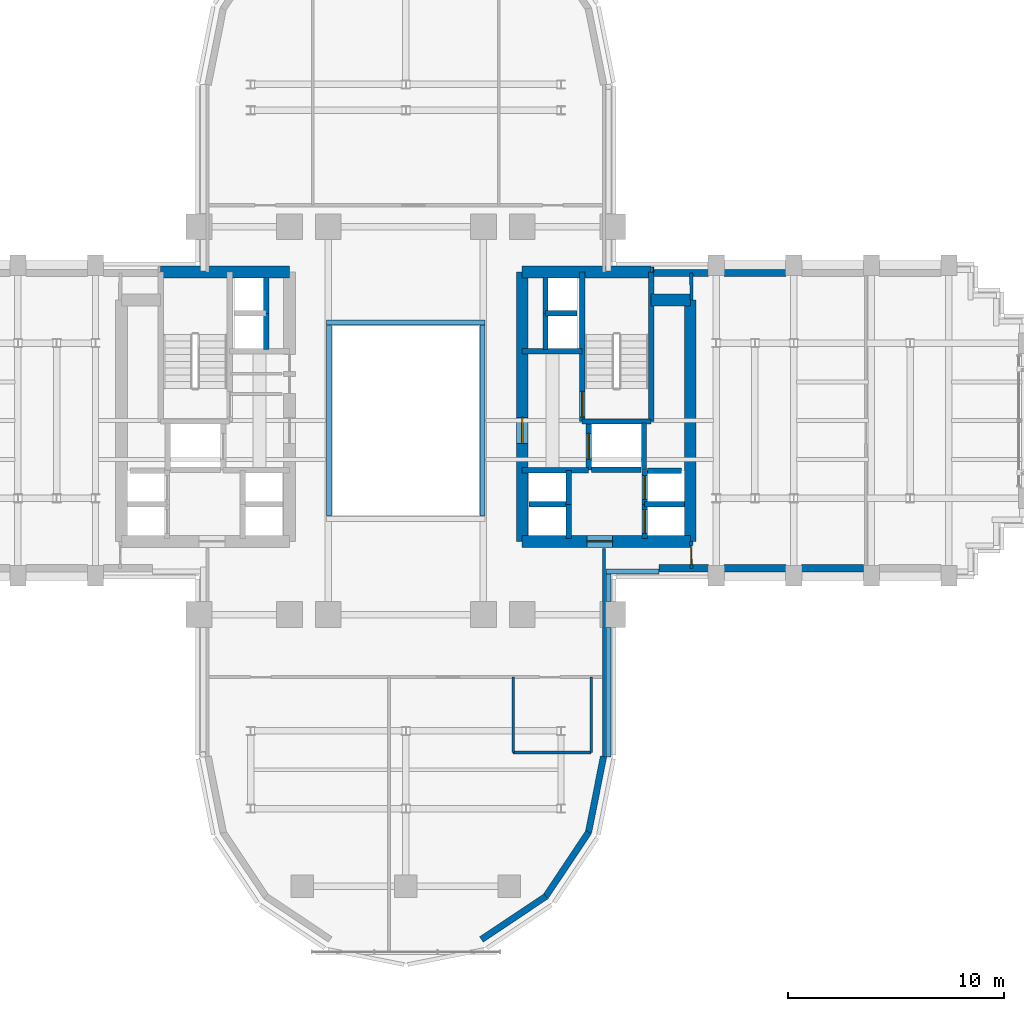
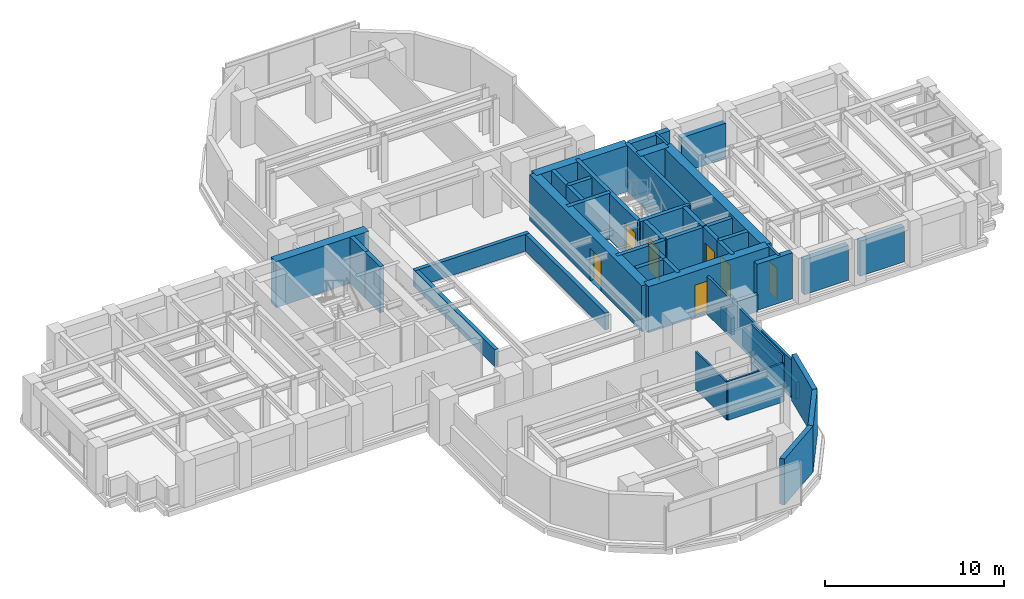
# One storey, part 11 of 16: 47 walls, 7 doors, 7 openings.
"""IFC4 building model written with IfcOpenShell, lengths in metres."""

from ifc_helpers import new_model, si_unit, direction, frame, frame_2d, origin, place, context, subcontext, project, spatial, rectangle, extrude, source, transform, mapped, material, layer, layer_set, type_object, element, fill, save


model = new_model("IFC4")

# Units and contexts
model_context = context("Model", 3, precision=1e-05, world=origin(), true_north=direction((0.0, 1.0)))
body_context = subcontext(model_context, "Body", "Model", "MODEL_VIEW")
ifc_project = project(units=[si_unit("LENGTHUNIT", "METRE"), si_unit("AREAUNIT", "SQUARE_METRE"), si_unit("VOLUMEUNIT", "CUBIC_METRE"), si_unit("PLANEANGLEUNIT", "RADIAN"), si_unit("MASSUNIT", "GRAM", prefix="KILO")], contexts=[model_context])

# Site, building, storey
site_placement = place(None, origin())
site = spatial("IfcSite", under=ifc_project, at=site_placement, CompositionType="ELEMENT")
building_placement = place(site_placement, origin())
building = spatial("IfcBuilding", under=site, at=building_placement, Name="Keilestroom Media Tower", CompositionType="ELEMENT")
storey_placement = place(building_placement, frame((0.0, 0.0, 85.0)))
storey = spatial("IfcBuildingStorey", under=building, at=storey_placement, Name="L22", CompositionType="ELEMENT", Elevation=85.0)

# Walls
ifc_material_1 = material(Name="Precast concrete C40/50", Category="concrete")
ifc_layer_1 = layer(ifc_material_1, 0.300048828125)
ifc_layer_set_1 = layer_set([ifc_layer_1], Name="Precast concrete C40/50")
wall_type_1 = type_object("IfcWallType", Name="Exterior-Masonry-Spandrel-Wall-300", PredefinedType="SOLIDWALL", material=ifc_layer_set_1)
wall_1_placement = place(storey_placement, frame((3.510009765625, -24.073486328125, 0.0), z_axis=(0.0, 0.0, 1.0), x_axis=(0.8314749531, 0.555562239868, 0.0)))
element("IfcWall", 1, at=wall_1_placement, inside=storey, type_object=wall_type_1, Name="L22 Lobe Facet Precast Frame Wall 10", PredefinedType="SOLIDWALL", context=body_context, shape_type="SweptSolid", body=[
    extrude(rectangle(XDim=3.59326171875, YDim=0.300048828125, at=frame_2d((1.796630859375, 0.0))), origin(), (0.0, 0.0, 1.0), 3.139892578125),
])
for number, where, z_axis, x_axis, name in (
    (2, (6.47705078125, -22.097900390625, 0.0), (0.0, 0.0, 1.0), (0.555574187116, 0.831466970246, 0.0), "L22 Lobe Facet Precast Frame Wall 11"),
    (3, (8.470703125, -19.12451171875, 0.0), (0.0, 0.0, 1.0), (0.195114232679, 0.980780523974, 0.0), "L22 Lobe Facet Precast Frame Wall 12"),
):
    element("IfcWall", number, at=place(storey_placement, frame(where, z_axis=z_axis, x_axis=x_axis)), inside=storey, type_object=wall_type_1, Name=name, PredefinedType="SOLIDWALL", context=body_context, shape_type="SweptSolid", body=[
        extrude(rectangle(XDim=3.608642578125, YDim=0.300048828125, at=frame_2d((1.80419921875, 0.0))), origin(), (0.0, 0.0, 1.0), 3.139892578125),
    ])
ifc_layer_2 = layer(ifc_material_1, 0.340087890625)
ifc_layer_set_2 = layer_set([ifc_layer_2], Name="Precast concrete C40/50")
wall_type_2 = type_object("IfcWallType", Name="Exterior-Masonry-Spandrel-Wall-340", PredefinedType="SOLIDWALL", material=ifc_layer_set_2)
wall_2_placement = place(storey_placement, frame((11.498046875, 6.85009765625, 0.0), z_axis=(0.0, 0.0, 1.0), x_axis=(1.0, 0.0, 0.0)))
element("IfcWall", 4, at=wall_2_placement, inside=storey, type_object=wall_type_2, Name="L22 Flank Masonry Wall EWL-L22-NE-1", PredefinedType="SOLIDWALL", context=body_context, shape_type="SweptSolid", body=[
    extrude(rectangle(XDim=2.534912109375, YDim=0.340087890625, at=frame_2d((1.267578125, 0.0))), origin(), (0.0, 0.0, 1.0), 3.139892578125),
])
wall_3_placement = place(storey_placement, frame((14.76708984375, 6.85009765625, 0.0), z_axis=(0.0, 0.0, 1.0), x_axis=(1.0, 0.0, 0.0)))
element("IfcWall", 5, at=wall_3_placement, inside=storey, type_object=wall_type_2, Name="L22 Flank Masonry Wall EWL-L22-NE-2", PredefinedType="SOLIDWALL", context=body_context, shape_type="SweptSolid", body=[
    extrude(rectangle(XDim=2.865966796875, YDim=0.340087890625, at=frame_2d((1.43310546875, 0.0))), origin(), (0.0, 0.0, 1.0), 2.389892578125),
])
wall_4_placement = place(storey_placement, frame((11.75, -6.85009765625, 0.0), z_axis=(0.0, 0.0, 1.0), x_axis=(1.0, 0.0, 0.0)))
element("IfcWall", 6, at=wall_4_placement, inside=storey, type_object=wall_type_2, Name="L22 Flank Masonry Wall EWL-L22-SE-1", PredefinedType="SOLIDWALL", context=body_context, shape_type="SweptSolid", body=[
    extrude(rectangle(XDim=2.282958984375, YDim=0.340087890625, at=frame_2d((1.1416015625, 0.0))), origin(), (0.0, 0.0, 1.0), 3.139892578125),
])
for number, where, z_axis, x_axis, name in (
    (7, (14.76708984375, -6.85009765625, 0.0), (0.0, 0.0, 1.0), (1.0, 0.0, 0.0), "L22 Flank Masonry Wall EWL-L22-SE-2"),
    (8, (18.366943359375, -6.85009765625, 0.0), (0.0, 0.0, 1.0), (1.0, 0.0, 0.0), "L22 Flank Masonry Wall EWL-L22-SE-3"),
):
    element("IfcWall", number, at=place(storey_placement, frame(where, z_axis=z_axis, x_axis=x_axis)), inside=storey, type_object=wall_type_2, Name=name, PredefinedType="SOLIDWALL", context=body_context, shape_type="SweptSolid", body=[
        extrude(rectangle(XDim=2.865966796875, YDim=0.340087890625, at=frame_2d((1.43310546875, 0.0))), origin(), (0.0, 0.0, 1.0), 2.389892578125),
    ])
ifc_material_2 = material(Name="Gypsum Plasterboard & Steel Stud", Category="steel")
ifc_layer_3 = layer(ifc_material_2, 0.1201171875)
ifc_layer_set_3 = layer_set([ifc_layer_3], Name="Gypsum Plasterboard & Steel Stud")
wall_type_3 = type_object("IfcWallType", Name="Interior-Partition-Wall-120", PredefinedType="PARTITIONING", material=ifc_layer_set_3)
wall_5_placement = place(storey_placement, frame((4.97998046875, -15.39990234375, 0.0), z_axis=(0.0, 0.0, 1.0), x_axis=(1.0, 0.0, 0.0)))
element("IfcWall", 9, at=wall_5_placement, inside=storey, type_object=wall_type_3, Name="L22 Interior Wall WP-L22-SL-WC1-S", PredefinedType="PARTITIONING", context=body_context, shape_type="SweptSolid", body=[
    extrude(rectangle(XDim=3.6201171875, YDim=0.1201171875, at=frame_2d((1.81005859375, 0.0))), origin(), (0.0, 0.0, 1.0), 2.639892578125),
])
wall_6_placement = place(storey_placement, frame((4.97998046875, -15.39990234375, 0.0), z_axis=(0.0, 0.0, 1.0), x_axis=(0.0, 1.0, 0.0)))
element("IfcWall", 10, at=wall_6_placement, inside=storey, type_object=wall_type_3, Name="L22 Interior Wall WP-L22-SL-WC1-W", PredefinedType="PARTITIONING", context=body_context, shape_type="SweptSolid", body=[
    extrude(rectangle(XDim=3.5, YDim=0.1201171875, at=frame_2d((1.75, 0.0))), origin(), (0.0, 0.0, 1.0), 2.590087890625),
])
wall_7_placement = place(storey_placement, frame((8.60009765625, -15.39990234375, 0.0), z_axis=(0.0, 0.0, 1.0), x_axis=(0.0, 1.0, 0.0)))
element("IfcWall", 11, at=wall_7_placement, inside=storey, type_object=wall_type_3, Name="L22 Interior Wall WP-L22-SL-WC1-E", PredefinedType="PARTITIONING", context=body_context, shape_type="SweptSolid", body=[
    extrude(rectangle(XDim=3.5, YDim=0.1201171875, at=frame_2d((1.75, 0.0))), origin(), (0.0, 0.0, 1.0), 3.139892578125),
])
ifc_layer_4 = layer(ifc_material_2, 0.14990234375)
ifc_layer_set_4 = layer_set([ifc_layer_4], Name="Gypsum Plasterboard & Steel Stud")
wall_type_4 = type_object("IfcWallType", Name="Interior-Partition-Wall-150", PredefinedType="PARTITIONING", material=ifc_layer_set_4)
wall_8_placement = place(storey_placement, frame((9.199951171875, -15.679931640625, 0.0), z_axis=(0.0, 0.0, 1.0), x_axis=(0.0, 1.0, 0.0)))
element("IfcWall", 12, at=wall_8_placement, inside=storey, type_object=wall_type_4, Name="L22 Interior Wall WP-L22-SL-CHKE", PredefinedType="PARTITIONING", context=body_context, shape_type="SweptSolid", body=[
    extrude(rectangle(XDim=9.739990234375, YDim=0.14990234375, at=frame_2d((4.8701171875, 0.0))), origin(), (0.0, 0.0, 1.0), 2.590087890625),
])
wall_9_placement = place(storey_placement, frame((13.260009765625, 5.60009765625, 0.0), z_axis=(0.0, 0.0, 1.0), x_axis=(-0.016013571389, 0.999871774545, 0.0)))
element("IfcWall", 13, at=wall_9_placement, inside=storey, type_object=wall_type_4, Name="L22 Interior Wall WP-L22-EA-ENTN", PredefinedType="PARTITIONING", context=body_context, shape_type="SweptSolid", body=[
    extrude(rectangle(XDim=1.250244140625, YDim=0.14990234375, at=frame_2d((0.625, 0.0))), origin(), (0.0, 0.0, 1.0), 3.139892578125),
])

# Wall, opening, door
wall_10_placement = place(storey_placement, frame((13.260009765625, -6.85009765625, 0.0), z_axis=(0.0, 0.0, 1.0), x_axis=(-0.016013571389, 0.999871774545, 0.0)))
wall_10 = element("IfcWall", 14, at=wall_10_placement, inside=storey, type_object=wall_type_4, Name="L22 Interior Wall WP-L22-EA-ENTS", PredefinedType="PARTITIONING", context=body_context, shape_type="SweptSolid", body=[
    extrude(rectangle(XDim=1.250244140625, YDim=0.14990234375, at=frame_2d((0.625, 0.0))), origin(), (0.0, 0.0, 1.0), 3.139892578125),
])
opening_1_placement = place(wall_10_placement, frame((0.199951171875, 0.0, 0.0)))
opening_1 = element("IfcOpeningElement", 15, at=opening_1_placement, cuts=wall_10, Name="Opening DI-05", PredefinedType="OPENING", context=body_context, shape_type="SweptSolid", body=[
    extrude(rectangle(XDim=0.85009765625, YDim=2.10009765625, at=frame_2d((0.425048828125, 1.050048828125))), frame((0.0, 0.0849609375, 0.0), z_axis=(0.0, -1.0, 0.0), x_axis=(1.0, 0.0, 0.0)), (0.0, 0.0, 1.0), 0.169921875),
])
ifc_material_3 = material(Name="Moisture-Resistant Oak Leaf", Category="wood")
door_type_1 = type_object("IfcDoorType", Name="Interior-En-Suite-And-Cupboard-Door-DI-05", OperationType="NOTDEFINED", PredefinedType="DOOR", material=ifc_material_3)
shared_shape_1 = source(origin(), body_context, "Body", "SweptSolid", [
    extrude(rectangle(XDim=0.85009765625, YDim=2.10009765625, at=frame_2d((0.425048828125, 1.050048828125))), frame((0.0, 0.02490234375, 0.0), z_axis=(0.0, -1.0, 0.0), x_axis=(1.0, 0.0, 0.0)), (0.0, 0.0, 1.0), 0.050048828125),
])
door_1_placement = place(opening_1_placement, origin())
door_1 = element("IfcDoor", 16, at=door_1_placement, inside=storey, type_object=door_type_1, Name="L22 Interior Door DI-L22-DEA-W", OperationType="SINGLE_SWING_RIGHT", OverallHeight=2.10009765625, OverallWidth=0.85009765625, PredefinedType="DOOR", context=body_context, shape_type="MappedRepresentation", body=[
    mapped(shared_shape_1, transform((0.0, 0.0, 0.0), x_axis=(1.0, 0.0, 0.0), y_axis=(0.0, 1.0, 0.0), z_axis=(0.0, 0.0, 1.0), scale=1.0)),
])
fill(opening_1, door_1)

# Walls
ifc_material_4 = material(Name="Concrete C70/85", Category="concrete")
ifc_layer_5 = layer(ifc_material_4, 0.550048828125)
ifc_layer_set_5 = layer_set([ifc_layer_5], Name="Concrete C70/85")
wall_type_5 = type_object("IfcWallType", Name="Reinforced-Concrete-Core-Shear-Wall-550", PredefinedType="SHEAR", material=ifc_layer_set_5)
wall_11_placement = place(storey_placement, frame((-11.381103515625, 6.89990234375, 0.0), z_axis=(0.0, 0.0, 1.0), x_axis=(1.0, 0.0, 0.0)))
element("IfcWall", 17, at=wall_11_placement, inside=storey, type_object=wall_type_5, Name="L22 Core Shear Wall WL-L22-CORE-W-N", PredefinedType="SHEAR", context=body_context, shape_type="SweptSolid", body=[
    extrude(rectangle(XDim=5.981201171875, YDim=0.550048828125, at=frame_2d((2.99072265625, 0.0))), origin(), (0.0, 0.0, 1.0), 3.139892578125),
])
wall_12_placement = place(storey_placement, frame((13.199951171875, -5.60009765625, 0.0), z_axis=(0.0, 0.0, 1.0), x_axis=(0.0, 1.0, 0.0)))
element("IfcWall", 18, at=wall_12_placement, inside=storey, type_object=wall_type_5, Name="L22 Core Shear Wall WL-L22-CORE-E-OUT", PredefinedType="SHEAR", context=body_context, shape_type="SweptSolid", body=[
    extrude(rectangle(XDim=11.2001953125, YDim=0.550048828125, at=frame_2d((5.60009765625, 0.0))), origin(), (0.0, 0.0, 1.0), 3.139892578125),
])

# Wall, opening, door
wall_13_placement = place(storey_placement, frame((5.39990234375, -5.60009765625, 0.0), z_axis=(0.0, 0.0, 1.0), x_axis=(0.0, 1.0, 0.0)))
wall_13 = element("IfcWall", 19, at=wall_13_placement, inside=storey, type_object=wall_type_5, Name="L22 Core Shear Wall WL-L22-CORE-E-IN", PredefinedType="SHEAR", context=body_context, shape_type="SweptSolid", body=[
    extrude(rectangle(XDim=12.5, YDim=0.550048828125, at=frame_2d((6.25, 0.0))), origin(), (0.0, 0.0, 1.0), 3.139892578125),
])
opening_2_placement = place(wall_13_placement, frame((4.550048828125, 0.0, 0.0)))
opening_2 = element("IfcOpeningElement", 20, at=opening_2_placement, cuts=wall_13, Name="Opening DI-02", PredefinedType="OPENING", context=body_context, shape_type="SweptSolid", body=[
    extrude(rectangle(XDim=1.199951171875, YDim=2.199951171875, at=frame_2d((0.60009765625, 1.10009765625))), frame((0.0, 0.28515625, 0.0), z_axis=(0.0, -1.0, 0.0), x_axis=(1.0, 0.0, 0.0)), (0.0, 0.0, 1.0), 0.570068359375),
])
ifc_material_5 = material(Name="Powder-Coated Steel Fire Leaf", Category="steel")
door_type_2 = type_object("IfcDoorType", Name="Interior-Compartment-Fire-Door-DI-02", OperationType="NOTDEFINED", PredefinedType="DOOR", material=ifc_material_5)
shared_shape_2 = source(origin(), body_context, "Body", "SweptSolid", [
    extrude(rectangle(XDim=1.199951171875, YDim=2.199951171875, at=frame_2d((0.60009765625, 1.10009765625))), frame((0.0, 0.02490234375, 0.0), z_axis=(0.0, -1.0, 0.0), x_axis=(1.0, 0.0, 0.0)), (0.0, 0.0, 1.0), 0.050048828125),
])
door_2_placement = place(opening_2_placement, origin())
door_2 = element("IfcDoor", 21, at=door_2_placement, inside=storey, type_object=door_type_2, Name="L22 E Firefighting Lobby Door", OperationType="SINGLE_SWING_LEFT", OverallHeight=2.199951171875, OverallWidth=1.199951171875, PredefinedType="DOOR", context=body_context, shape_type="MappedRepresentation", body=[
    mapped(shared_shape_2, transform((0.0, 0.0, 0.0), x_axis=(1.0, 0.0, 0.0), y_axis=(0.0, 1.0, 0.0), z_axis=(0.0, 0.0, 1.0), scale=1.0)),
])
fill(opening_2, door_2)

# Walls
wall_14_placement = place(storey_placement, frame((5.39990234375, 6.89990234375, 0.0), z_axis=(0.0, 0.0, 1.0), x_axis=(1.0, 0.0, 0.0)))
element("IfcWall", 22, at=wall_14_placement, inside=storey, type_object=wall_type_5, Name="L22 Core Shear Wall WL-L22-CORE-E-N", PredefinedType="SHEAR", context=body_context, shape_type="SweptSolid", body=[
    extrude(rectangle(XDim=5.981201171875, YDim=0.550048828125, at=frame_2d((2.99072265625, 0.0))), origin(), (0.0, 0.0, 1.0), 3.139892578125),
])
wall_15_placement = place(storey_placement, frame((11.381103515625, 5.60009765625, 0.0), z_axis=(0.0, 0.0, 1.0), x_axis=(1.0, 0.0, 0.0)))
element("IfcWall", 23, at=wall_15_placement, inside=storey, type_object=wall_type_5, Name="L22 Core Shear Wall WL-L22-CNE-N", PredefinedType="SHEAR", context=body_context, shape_type="SweptSolid", body=[
    extrude(rectangle(XDim=1.81884765625, YDim=0.550048828125, at=frame_2d((0.909423828125, 0.0))), origin(), (0.0, 0.0, 1.0), 3.139892578125),
])

# Wall, opening, door
wall_16_placement = place(storey_placement, frame((5.39990234375, -5.60009765625, 0.0), z_axis=(0.0, 0.0, 1.0), x_axis=(1.0, 0.0, 0.0)))
wall_16 = element("IfcWall", 24, at=wall_16_placement, inside=storey, type_object=wall_type_5, Name="L22 Core Shear Wall WL-L22-CORE-E-S", PredefinedType="SHEAR", context=body_context, shape_type="SweptSolid", body=[
    extrude(rectangle(XDim=7.800048828125, YDim=0.550048828125, at=frame_2d((3.89990234375, 0.0))), origin(), (0.0, 0.0, 1.0), 3.139892578125),
])
opening_3_placement = place(wall_16_placement, frame((3.0, 0.0, 0.0)))
opening_3 = element("IfcOpeningElement", 25, at=opening_3_placement, cuts=wall_16, Name="Opening DI-02", PredefinedType="OPENING", context=body_context, shape_type="SweptSolid", body=[
    extrude(rectangle(XDim=1.199951171875, YDim=2.199951171875, at=frame_2d((0.60009765625, 1.10009765625))), frame((0.0, 0.28515625, 0.0), z_axis=(0.0, -1.0, 0.0), x_axis=(1.0, 0.0, 0.0)), (0.0, 0.0, 1.0), 0.570068359375),
])
door_3_placement = place(opening_3_placement, origin())
door_3 = element("IfcDoor", 26, at=door_3_placement, inside=storey, type_object=door_type_2, Name="L22 E Passenger Lift Lobby Door", OperationType="SINGLE_SWING_RIGHT", OverallHeight=2.199951171875, OverallWidth=1.199951171875, PredefinedType="DOOR", context=body_context, shape_type="MappedRepresentation", body=[
    mapped(shared_shape_2, transform((0.0, 0.0, 0.0), x_axis=(1.0, 0.0, 0.0), y_axis=(0.0, 1.0, 0.0), z_axis=(0.0, 0.0, 1.0), scale=1.0)),
])
fill(opening_3, door_3)

# Walls
ifc_material_6 = material(Name="Concrete C50/60", Category="concrete")
ifc_layer_6 = layer(ifc_material_6, 0.25)
ifc_layer_set_6 = layer_set([ifc_layer_6], Name="Concrete C50/60")
wall_type_6 = type_object("IfcWallType", Name="Reinforced-Concrete-Shaft-Wall-250", PredefinedType="SOLIDWALL", material=ifc_layer_set_6)
wall_17_placement = place(storey_placement, frame((5.39990234375, 3.219970703125, 0.0), z_axis=(0.0, 0.0, 1.0), x_axis=(1.0, 0.0, 0.0)))
element("IfcWall", 27, at=wall_17_placement, inside=storey, type_object=wall_type_6, Name="L22 Core Shear Wall WL-L22-CORE-E-FFN", PredefinedType="SOLIDWALL", context=body_context, shape_type="SweptSolid", body=[
    extrude(rectangle(XDim=2.780029296875, YDim=0.25, at=frame_2d((1.39013671875, 0.0))), origin(), (0.0, 0.0, 1.0), 3.139892578125),
])
wall_18_placement = place(storey_placement, frame((5.39990234375, -2.300048828125, 0.0), z_axis=(0.0, 0.0, 1.0), x_axis=(1.0, 0.0, 0.0)))
element("IfcWall", 28, at=wall_18_placement, inside=storey, type_object=wall_type_6, Name="L22 Core Shear Wall WL-L22-CORE-E-FFS", PredefinedType="SOLIDWALL", context=body_context, shape_type="SweptSolid", body=[
    extrude(rectangle(XDim=3.080078125, YDim=0.25, at=frame_2d((1.5400390625, 0.0))), origin(), (0.0, 0.0, 1.0), 3.139892578125),
])

# Wall, opening, door
wall_19_placement = place(storey_placement, frame((8.178955078125, -0.041015625, 0.0), z_axis=(0.0, 0.0, 1.0), x_axis=(0.0, 1.0, 0.0)))
wall_19 = element("IfcWall", 29, at=wall_19_placement, inside=storey, type_object=wall_type_6, Name="L22 Core Shear Wall WL-L22-STW-E-NEAR", PredefinedType="SOLIDWALL", context=body_context, shape_type="SweptSolid", body=[
    extrude(rectangle(XDim=6.94091796875, YDim=0.25, at=frame_2d((3.470458984375, 0.0))), origin(), (0.0, 0.0, 1.0), 3.139892578125),
])
opening_4_placement = place(wall_19_placement, frame((0.199951171875, 0.0, 0.0)))
opening_4 = element("IfcOpeningElement", 30, at=opening_4_placement, cuts=wall_19, Name="Opening DI-01S", PredefinedType="OPENING", context=body_context, shape_type="SweptSolid", body=[
    extrude(rectangle(XDim=1.199951171875, YDim=2.199951171875, at=frame_2d((0.60009765625, 1.10009765625))), frame((0.0, 0.135009765625, 0.0), z_axis=(0.0, -1.0, 0.0), x_axis=(1.0, 0.0, 0.0)), (0.0, 0.0, 1.0), 0.27001953125),
])
door_type_3 = type_object("IfcDoorType", Name="Interior-Stair-And-Core-Fire-Door-DI-01", OperationType="NOTDEFINED", PredefinedType="DOOR", material=ifc_material_5)
door_4_placement = place(opening_4_placement, origin())
door_4 = element("IfcDoor", 31, at=door_4_placement, inside=storey, type_object=door_type_3, Name="L22 Escape Stair ST-2 Fire Door", OperationType="SINGLE_SWING_RIGHT", OverallHeight=2.199951171875, OverallWidth=1.199951171875, PredefinedType="DOOR", context=body_context, shape_type="MappedRepresentation", body=[
    mapped(shared_shape_2, transform((0.0, 0.0, 0.0), x_axis=(1.0, 0.0, 0.0), y_axis=(0.0, 1.0, 0.0), z_axis=(0.0, 0.0, 1.0), scale=1.0)),
])
fill(opening_4, door_4)

# Walls
wall_20_placement = place(storey_placement, frame((11.381103515625, -0.041015625, 0.0), z_axis=(0.0, 0.0, 1.0), x_axis=(0.0, 1.0, 0.0)))
element("IfcWall", 32, at=wall_20_placement, inside=storey, type_object=wall_type_6, Name="L22 Core Shear Wall WL-L22-STW-E-FAR", PredefinedType="SOLIDWALL", context=body_context, shape_type="SweptSolid", body=[
    extrude(rectangle(XDim=6.94091796875, YDim=0.25, at=frame_2d((3.470458984375, 0.0))), origin(), (0.0, 0.0, 1.0), 3.139892578125),
])
wall_21_placement = place(storey_placement, frame((8.178955078125, -0.041015625, 0.0), z_axis=(0.0, 0.0, 1.0), x_axis=(1.0, 0.0, 0.0)))
element("IfcWall", 33, at=wall_21_placement, inside=storey, type_object=wall_type_6, Name="L22 Core Shear Wall WL-L22-STW-E-S", PredefinedType="SOLIDWALL", context=body_context, shape_type="SweptSolid", body=[
    extrude(rectangle(XDim=3.2021484375, YDim=0.25, at=frame_2d((1.60107421875, 0.0))), origin(), (0.0, 0.0, 1.0), 3.139892578125),
])

# Wall, opening, door
wall_22_placement = place(storey_placement, frame((8.47998046875, -2.280029296875, 0.0), z_axis=(0.0, 0.0, 1.0), x_axis=(0.0, 1.0, 0.0)))
wall_22 = element("IfcWall", 34, at=wall_22_placement, inside=storey, type_object=wall_type_6, Name="L22 Core Shear Wall WL-L22-LSH-FFL-2-W", PredefinedType="SOLIDWALL", context=body_context, shape_type="SweptSolid", body=[
    extrude(rectangle(XDim=2.179931640625, YDim=0.25, at=frame_2d((1.08984375, 0.0))), origin(), (0.0, 0.0, 1.0), 3.139892578125),
])
opening_5_placement = place(wall_22_placement, frame((0.489990234375, 0.0, 0.0)))
opening_5 = element("IfcOpeningElement", 35, at=opening_5_placement, cuts=wall_22, Name="Opening LD-02", PredefinedType="OPENING", context=body_context, shape_type="SweptSolid", body=[
    extrude(rectangle(XDim=1.199951171875, YDim=2.199951171875, at=frame_2d((0.60009765625, 1.10009765625))), frame((0.0, 0.135009765625, 0.0), z_axis=(0.0, -1.0, 0.0), x_axis=(1.0, 0.0, 0.0)), (0.0, 0.0, 1.0), 0.27001953125),
])
ifc_material_7 = material(Name="Brushed Stainless Steel Sliding Leaf", Category="steel")
door_type_4 = type_object("IfcDoorType", Name="Lift-Landing-Sliding-Door-LD-02", OperationType="SLIDING_TO_RIGHT", PredefinedType="DOOR", material=ifc_material_7)
door_5_placement = place(opening_5_placement, origin())
door_5 = element("IfcDoor", 36, at=door_5_placement, inside=storey, type_object=door_type_4, Name="L22 Lift FFL-2 Landing Sliding Door", OperationType="SLIDING_TO_RIGHT", OverallHeight=2.199951171875, OverallWidth=1.199951171875, PredefinedType="DOOR", context=body_context, shape_type="MappedRepresentation", body=[
    mapped(shared_shape_2, transform((0.0, 0.0, 0.0), x_axis=(1.0, 0.0, 0.0), y_axis=(0.0, 1.0, 0.0), z_axis=(0.0, 0.0, 1.0), scale=1.0)),
])
fill(opening_5, door_5)

# Walls
wall_23_placement = place(storey_placement, frame((11.050048828125, -2.280029296875, 0.0), z_axis=(0.0, 0.0, 1.0), x_axis=(0.0, 1.0, 0.0)))
element("IfcWall", 37, at=wall_23_placement, inside=storey, type_object=wall_type_6, Name="L22 Core Shear Wall WL-L22-LSH-FFL-2-E", PredefinedType="SOLIDWALL", context=body_context, shape_type="SweptSolid", body=[
    extrude(rectangle(XDim=2.179931640625, YDim=0.25, at=frame_2d((1.08984375, 0.0))), origin(), (0.0, 0.0, 1.0), 3.139892578125),
])
wall_24_placement = place(storey_placement, frame((8.60888671875, -2.280029296875, 0.0), z_axis=(0.0, 0.0, 1.0), x_axis=(1.0, 0.0, 0.0)))
element("IfcWall", 38, at=wall_24_placement, inside=storey, type_object=wall_type_6, Name="L22 Core Shear Wall WL-L22-LSH-FFL-2-S", PredefinedType="SOLIDWALL", context=body_context, shape_type="SweptSolid", body=[
    extrude(rectangle(XDim=2.31201171875, YDim=0.25, at=frame_2d((1.156005859375, 0.0))), origin(), (0.0, 0.0, 1.0), 3.139892578125),
])

# Wall, opening, door
wall_25_placement = place(storey_placement, frame((11.080078125, -5.47998046875, 0.0), z_axis=(0.0, 0.0, 1.0), x_axis=(0.0, 1.0, 0.0)))
wall_25 = element("IfcWall", 39, at=wall_25_placement, inside=storey, type_object=wall_type_6, Name="L22 Core Shear Wall WL-L22-LSH-PL-L3-W", PredefinedType="SOLIDWALL", context=body_context, shape_type="SweptSolid", body=[
    extrude(rectangle(XDim=1.60009765625, YDim=0.25, at=frame_2d((0.800048828125, 0.0))), origin(), (0.0, 0.0, 1.0), 3.139892578125),
])
opening_6_placement = place(wall_25_placement, frame((0.25, 0.0, 0.0)))
opening_6 = element("IfcOpeningElement", 40, at=opening_6_placement, cuts=wall_25, Name="Opening LD-01", PredefinedType="OPENING", context=body_context, shape_type="SweptSolid", body=[
    extrude(rectangle(XDim=1.10009765625, YDim=2.199951171875, at=frame_2d((0.550048828125, 1.10009765625))), frame((0.0, 0.135009765625, 0.0), z_axis=(0.0, -1.0, 0.0), x_axis=(1.0, 0.0, 0.0)), (0.0, 0.0, 1.0), 0.27001953125),
])
door_type_5 = type_object("IfcDoorType", Name="Lift-Landing-Sliding-Door-LD-01", OperationType="SLIDING_TO_LEFT", PredefinedType="DOOR", material=ifc_material_7)
shared_shape_3 = source(origin(), body_context, "Body", "SweptSolid", [
    extrude(rectangle(XDim=1.10009765625, YDim=2.199951171875, at=frame_2d((0.550048828125, 1.10009765625))), frame((0.0, 0.02490234375, 0.0), z_axis=(0.0, -1.0, 0.0), x_axis=(1.0, 0.0, 0.0)), (0.0, 0.0, 1.0), 0.050048828125),
])
door_6_placement = place(opening_6_placement, origin())
door_6 = element("IfcDoor", 41, at=door_6_placement, inside=storey, type_object=door_type_5, Name="L22 Lift PL-L3 Landing Sliding Door", OperationType="SLIDING_TO_LEFT", OverallHeight=2.199951171875, OverallWidth=1.10009765625, PredefinedType="DOOR", context=body_context, shape_type="MappedRepresentation", body=[
    mapped(shared_shape_3, transform((0.0, 0.0, 0.0), x_axis=(1.0, 0.0, 0.0), y_axis=(0.0, 1.0, 0.0), z_axis=(0.0, 0.0, 1.0), scale=1.0)),
])
fill(opening_6, door_6)

# Wall
wall_26_placement = place(storey_placement, frame((11.080078125, -3.8798828125, 0.0), z_axis=(0.0, 0.0, 1.0), x_axis=(1.0, 0.0, 0.0)))
element("IfcWall", 42, at=wall_26_placement, inside=storey, type_object=wall_type_6, Name="L22 Core Shear Wall WL-L22-LSH-PL-L3-N", PredefinedType="SOLIDWALL", context=body_context, shape_type="SweptSolid", body=[
    extrude(rectangle(XDim=1.83984375, YDim=0.25, at=frame_2d((0.919921875, 0.0))), origin(), (0.0, 0.0, 1.0), 3.139892578125),
])

# Wall, opening, door
wall_27_placement = place(storey_placement, frame((11.080078125, -3.8798828125, 0.0), z_axis=(0.0, 0.0, 1.0), x_axis=(0.0, 1.0, 0.0)))
wall_27 = element("IfcWall", 43, at=wall_27_placement, inside=storey, type_object=wall_type_6, Name="L22 Core Shear Wall WL-L22-LSH-PL-L4-W", PredefinedType="SOLIDWALL", context=body_context, shape_type="SweptSolid", body=[
    extrude(rectangle(XDim=1.559814453125, YDim=0.25, at=frame_2d((0.77978515625, 0.0))), origin(), (0.0, 0.0, 1.0), 3.139892578125),
])
opening_7_placement = place(wall_27_placement, frame((0.22998046875, 0.0, 0.0)))
opening_7 = element("IfcOpeningElement", 44, at=opening_7_placement, cuts=wall_27, Name="Opening LD-01", PredefinedType="OPENING", context=body_context, shape_type="SweptSolid", body=[
    extrude(rectangle(XDim=1.10009765625, YDim=2.199951171875, at=frame_2d((0.550048828125, 1.10009765625))), frame((0.0, 0.135009765625, 0.0), z_axis=(0.0, -1.0, 0.0), x_axis=(1.0, 0.0, 0.0)), (0.0, 0.0, 1.0), 0.27001953125),
])
door_7_placement = place(opening_7_placement, origin())
door_7 = element("IfcDoor", 45, at=door_7_placement, inside=storey, type_object=door_type_5, Name="L22 Lift PL-L4 Landing Sliding Door", OperationType="SLIDING_TO_LEFT", OverallHeight=2.199951171875, OverallWidth=1.10009765625, PredefinedType="DOOR", context=body_context, shape_type="MappedRepresentation", body=[
    mapped(shared_shape_3, transform((0.0, 0.0, 0.0), x_axis=(1.0, 0.0, 0.0), y_axis=(0.0, 1.0, 0.0), z_axis=(0.0, 0.0, 1.0), scale=1.0)),
])
fill(opening_7, door_7)

# Walls
wall_28_placement = place(storey_placement, frame((11.208984375, -2.320068359375, 0.0), z_axis=(0.0, 0.0, 1.0), x_axis=(1.0, 0.0, 0.0)))
element("IfcWall", 46, at=wall_28_placement, inside=storey, type_object=wall_type_6, Name="L22 Core Shear Wall WL-L22-LSH-PL-L4-N", PredefinedType="SOLIDWALL", context=body_context, shape_type="SweptSolid", body=[
    extrude(rectangle(XDim=1.58203125, YDim=0.25, at=frame_2d((0.791015625, 0.0))), origin(), (0.0, 0.0, 1.0), 3.139892578125),
])
wall_29_placement = place(storey_placement, frame((7.56005859375, -5.47998046875, 0.0), z_axis=(0.0, 0.0, 1.0), x_axis=(0.0, 1.0, 0.0)))
element("IfcWall", 47, at=wall_29_placement, inside=storey, type_object=wall_type_6, Name="L22 Core Shear Wall WL-L22-LSH-PL-M3-E", PredefinedType="SOLIDWALL", context=body_context, shape_type="SweptSolid", body=[
    extrude(rectangle(XDim=1.60009765625, YDim=0.25, at=frame_2d((0.800048828125, 0.0))), origin(), (0.0, 0.0, 1.0), 3.139892578125),
])
wall_30_placement = place(storey_placement, frame((5.719970703125, -3.8798828125, 0.0), z_axis=(0.0, 0.0, 1.0), x_axis=(1.0, 0.0, 0.0)))
element("IfcWall", 48, at=wall_30_placement, inside=storey, type_object=wall_type_6, Name="L22 Core Shear Wall WL-L22-LSH-PL-M3-N", PredefinedType="SOLIDWALL", context=body_context, shape_type="SweptSolid", body=[
    extrude(rectangle(XDim=1.840087890625, YDim=0.25, at=frame_2d((0.919921875, 0.0))), origin(), (0.0, 0.0, 1.0), 3.139892578125),
])
wall_31_placement = place(storey_placement, frame((7.56005859375, -3.8798828125, 0.0), z_axis=(0.0, 0.0, 1.0), x_axis=(0.0, 1.0, 0.0)))
element("IfcWall", 49, at=wall_31_placement, inside=storey, type_object=wall_type_6, Name="L22 Core Shear Wall WL-L22-LSH-PL-M4-E", PredefinedType="SOLIDWALL", context=body_context, shape_type="SweptSolid", body=[
    extrude(rectangle(XDim=1.559814453125, YDim=0.25, at=frame_2d((0.77978515625, 0.0))), origin(), (0.0, 0.0, 1.0), 3.139892578125),
])
wall_32_placement = place(storey_placement, frame((-6.47998046875, 3.300048828125, 0.0), z_axis=(0.0, 0.0, 1.0), x_axis=(0.0, 1.0, 0.0)))
element("IfcWall", 50, at=wall_32_placement, inside=storey, type_object=wall_type_6, Name="L22 Core Shear Wall WL-L22-LSH-PL-H1-E", PredefinedType="SOLIDWALL", context=body_context, shape_type="SweptSolid", body=[
    extrude(rectangle(XDim=1.679931640625, YDim=0.25, at=frame_2d((0.83984375, 0.0))), origin(), (0.0, 0.0, 1.0), 3.139892578125),
])
wall_33_placement = place(storey_placement, frame((-6.47998046875, 4.97998046875, 0.0), z_axis=(0.0, 0.0, 1.0), x_axis=(0.0, 1.0, 0.0)))
element("IfcWall", 51, at=wall_33_placement, inside=storey, type_object=wall_type_6, Name="L22 Core Shear Wall WL-L22-LSH-PL-H2-E", PredefinedType="SOLIDWALL", context=body_context, shape_type="SweptSolid", body=[
    extrude(rectangle(XDim=1.669921875, YDim=0.25, at=frame_2d((0.8349609375, 0.0))), origin(), (0.0, 0.0, 1.0), 3.139892578125),
])
wall_34_placement = place(storey_placement, frame((6.47998046875, 3.300048828125, 0.0), z_axis=(0.0, 0.0, 1.0), x_axis=(0.0, 1.0, 0.0)))
element("IfcWall", 52, at=wall_34_placement, inside=storey, type_object=wall_type_6, Name="L22 Core Shear Wall WL-L22-LSH-PL-H3-W", PredefinedType="SOLIDWALL", context=body_context, shape_type="SweptSolid", body=[
    extrude(rectangle(XDim=1.679931640625, YDim=0.25, at=frame_2d((0.83984375, 0.0))), origin(), (0.0, 0.0, 1.0), 3.139892578125),
])
wall_35_placement = place(storey_placement, frame((6.47998046875, 4.97998046875, 0.0), z_axis=(0.0, 0.0, 1.0), x_axis=(1.0, 0.0, 0.0)))
element("IfcWall", 53, at=wall_35_placement, inside=storey, type_object=wall_type_6, Name="L22 Core Shear Wall WL-L22-LSH-PL-H3-N", PredefinedType="SOLIDWALL", context=body_context, shape_type="SweptSolid", body=[
    extrude(rectangle(XDim=1.469970703125, YDim=0.25, at=frame_2d((0.73486328125, 0.0))), origin(), (0.0, 0.0, 1.0), 3.139892578125),
])
wall_36_placement = place(storey_placement, frame((6.47998046875, 4.97998046875, 0.0), z_axis=(0.0, 0.0, 1.0), x_axis=(0.0, 1.0, 0.0)))
element("IfcWall", 54, at=wall_36_placement, inside=storey, type_object=wall_type_6, Name="L22 Core Shear Wall WL-L22-LSH-PL-H4-W", PredefinedType="SOLIDWALL", context=body_context, shape_type="SweptSolid", body=[
    extrude(rectangle(XDim=1.669921875, YDim=0.25, at=frame_2d((0.8349609375, 0.0))), origin(), (0.0, 0.0, 1.0), 3.139892578125),
])
ifc_layer_7 = layer(ifc_material_1, 0.239990234375)
ifc_layer_set_7 = layer_set([ifc_layer_7], Name="Precast concrete C40/50")
wall_type_7 = type_object("IfcWallType", Name="Roof-And-Terrace-Parapet-Wall-240", PredefinedType="PARAPET", material=ifc_layer_set_7)
wall_37_placement = place(storey_placement, frame((11.7470703125, -7.0, 0.0), z_axis=(0.0, 0.0, 1.0), x_axis=(-1.0, 0.0, 0.0)))
element("IfcWall", 55, at=wall_37_placement, inside=storey, type_object=wall_type_7, Name="L22 Perimeter Edge Parapet Wall 06", PredefinedType="PARAPET", context=body_context, shape_type="SweptSolid", body=[
    extrude(rectangle(XDim=2.468994140625, YDim=0.239990234375, at=frame_2d((1.234375, 0.0))), origin(), (0.0, 0.0, 1.0), 1.14990234375),
])
wall_38_placement = place(storey_placement, frame((9.39990234375, -7.123046875, 0.0), z_axis=(0.0, 0.0, 1.0), x_axis=(0.0, -1.0, 0.0)))
element("IfcWall", 56, at=wall_38_placement, inside=storey, type_object=wall_type_7, Name="L22 Perimeter Edge Parapet Wall 07", PredefinedType="PARAPET", context=body_context, shape_type="SweptSolid", body=[
    extrude(rectangle(XDim=1.27392578125, YDim=0.239990234375, at=frame_2d((0.636962890625, 0.0))), origin(), (0.0, 0.0, 1.0), 1.14990234375),
])
wall_39_placement = place(storey_placement, frame((9.39990234375, -9.60302734375, 0.0), z_axis=(0.0, 0.0, 1.0), x_axis=(0.0, -1.0, 0.0)))
element("IfcWall", 57, at=wall_39_placement, inside=storey, type_object=wall_type_7, Name="L22 Perimeter Edge Parapet Wall 08", PredefinedType="PARAPET", context=body_context, shape_type="SweptSolid", body=[
    extrude(rectangle(XDim=5.999755859375, YDim=0.239990234375, at=frame_2d((3.0, 0.0))), origin(), (0.0, 0.0, 1.0), 1.14990234375),
])
wall_40_placement = place(storey_placement, frame((11.403076171875, 7.0, 0.0), z_axis=(0.0, 0.0, 1.0), x_axis=(1.0, 0.0, 0.0)))
element("IfcWall", 58, at=wall_40_placement, inside=storey, type_object=wall_type_7, Name="L22 Perimeter Edge Parapet Wall 31", PredefinedType="PARAPET", context=body_context, shape_type="SweptSolid", body=[
    extrude(rectangle(XDim=0.092041015625, YDim=0.239990234375, at=frame_2d((0.0458984375, 0.0))), origin(), (0.0, 0.0, 1.0), 1.14990234375),
])
wall_41_placement = place(storey_placement, frame((-3.679931640625, 4.56005859375, 0.0), z_axis=(0.0, 0.0, 1.0), x_axis=(1.0, 0.0, 0.0)))
element("IfcWall", 59, at=wall_41_placement, inside=storey, type_object=wall_type_7, Name="L22 Central Atrium Guard Parapet N", PredefinedType="PARAPET", context=body_context, shape_type="SweptSolid", body=[
    extrude(rectangle(XDim=7.35986328125, YDim=0.239990234375, at=frame_2d((3.679931640625, 0.0))), origin(), (0.0, 0.0, 1.0), 1.14990234375),
])
for number, where, z_axis, x_axis, name in (
    (60, (-3.56005859375, -4.43505859375, 0.0), (0.0, 0.0, 1.0), (0.0, 1.0, 0.0), "L22 Central Atrium Guard Parapet W"),
    (61, (3.56005859375, -4.43505859375, 0.0), (0.0, 0.0, 1.0), (0.0, 1.0, 0.0), "L22 Central Atrium Guard Parapet E"),
):
    element("IfcWall", number, at=place(storey_placement, frame(where, z_axis=z_axis, x_axis=x_axis)), inside=storey, type_object=wall_type_7, Name=name, PredefinedType="PARAPET", context=body_context, shape_type="SweptSolid", body=[
        extrude(rectangle(XDim=8.8701171875, YDim=0.239990234375, at=frame_2d((4.43505859375, 0.0))), origin(), (0.0, 0.0, 1.0), 1.14990234375),
    ])

save(model, "model.ifc")
